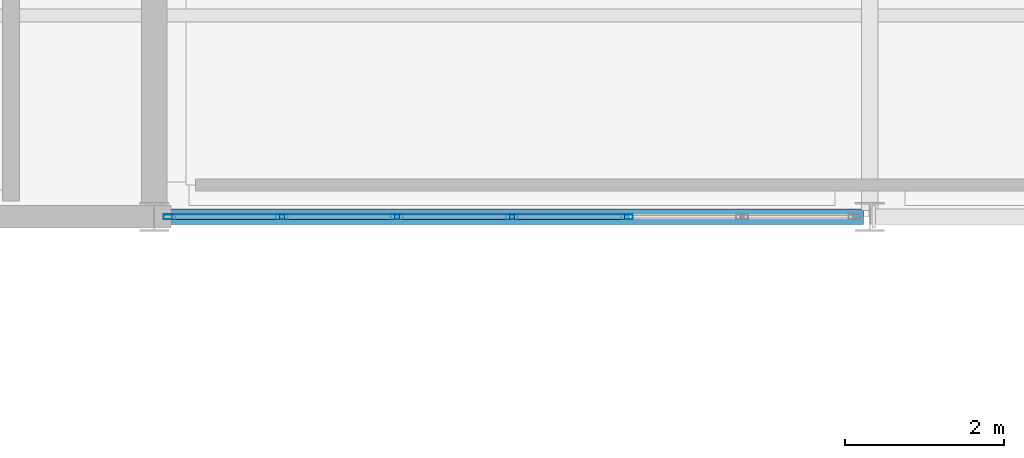
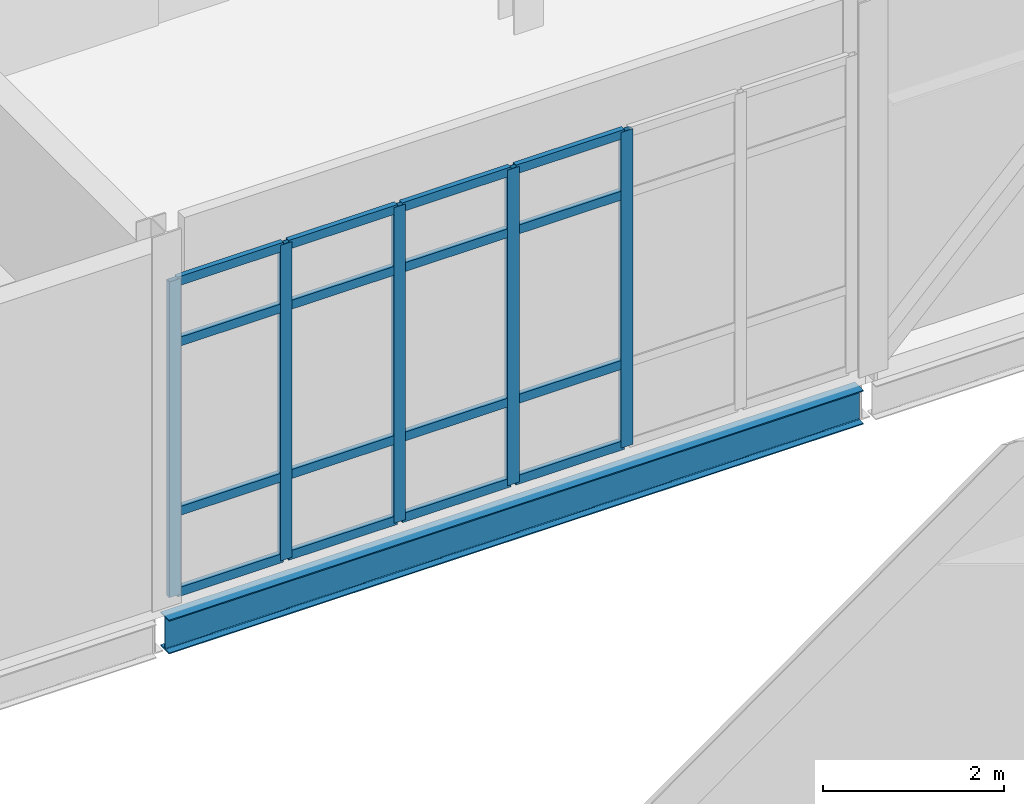
# One storey, part 32 of 161: 21 members, 1 beam, 1 element without a shape of its own.
"""IFC4 building model written with IfcOpenShell, lengths in metres."""

from ifc_helpers import new_model, si_unit, direction, frame, origin, origin_2d, place, context, subcontext, project, spatial, hollow_rectangle, i_section, extrude, material, material_profile, profile_set, type_object, element, aggregate, save


model = new_model("IFC4")

# Units and contexts
model_context = context("Model", 3, precision=1e-05, world=origin(), true_north=direction((0.0, 1.0)))
body_context = subcontext(model_context, "Body", "Model", "MODEL_VIEW")
ifc_project = project(units=[si_unit("LENGTHUNIT", "METRE"), si_unit("AREAUNIT", "SQUARE_METRE"), si_unit("VOLUMEUNIT", "CUBIC_METRE"), si_unit("PLANEANGLEUNIT", "RADIAN"), si_unit("MASSUNIT", "GRAM", prefix="KILO")], contexts=[model_context])

# Site, building, storey
site_placement = place(None, origin())
site = spatial("IfcSite", under=ifc_project, at=site_placement, CompositionType="ELEMENT")
building_placement = place(site_placement, origin())
building = spatial("IfcBuilding", under=site, at=building_placement, Name="Caisbarro Railhouse Central Library", CompositionType="ELEMENT")
storey_placement = place(building_placement, origin())
storey = spatial("IfcBuildingStorey", under=building, at=storey_placement, Name="L00", CompositionType="ELEMENT", Elevation=0.0)

# Beam
ifc_material_1 = material(Name="Steel ASTM A572 Grade 50", Category="steel")
ifc_material_profile_1 = material_profile(ifc_material_1, i_section(OverallWidth=0.18994140625, OverallDepth=0.45703125, WebThickness=0.009033203125, FlangeThickness=0.014404296875, FilletRadius=0.01806640625, at=origin_2d()), Name="W460X74.0")
ifc_profile_set_1 = profile_set([ifc_material_profile_1], Name="Steel ASTM A572 Grade 50")
beam_type = type_object("IfcBeamType", Name="BM-SP01", PredefinedType="SPANDREL", material=ifc_profile_set_1)
beam_placement = place(storey_placement, frame((9.080078125, 30.39990234375, -0.478515625), z_axis=(1.0, 0.0, 0.0), x_axis=(0.0, 1.0, 0.0)))
element("IfcBeam", 1, at=beam_placement, inside=storey, type_object=beam_type, Name="SP01 beam L00 #246", PredefinedType="SPANDREL", context=body_context, shape_type="SweptSolid", body=[
    extrude(i_section(OverallWidth=0.18994140625, OverallDepth=0.45703125, WebThickness=0.009033203125, FlangeThickness=0.014404296875, FilletRadius=0.01806640625, at=origin_2d()), origin(), (0.0, 0.0, 1.0), 8.83984375),
])

# Curtain wall, members
ifc_material_2 = material(Name="Anodised architectural aluminium", Category="aluminium")
curtain_wall_type = type_object("IfcCurtainWallType", Name="CW-CW02", PredefinedType="NOTDEFINED", material=ifc_material_2)
curtain_wall_placement = place(storey_placement, origin())
curtain_wall = element("IfcCurtainWall", 2, at=curtain_wall_placement, inside=storey, type_object=curtain_wall_type, Name="CW02 curtain wall L00 #25", PredefinedType="NOTDEFINED")
ifc_material_profile_2 = material_profile(ifc_material_2, hollow_rectangle(XDim=0.06494140625, YDim=0.14990234375, WallThickness=0.00390625, at=origin_2d()), Name="ALU-MUL-65X150")
ifc_profile_set_2 = profile_set([ifc_material_profile_2], Name="Anodised architectural aluminium")
member_type_1 = type_object("IfcMemberType", Name="CWM-M02", PredefinedType="MULLION", material=ifc_profile_set_2)
member_1_placement = place(storey_placement, frame((9.1923828125, 30.39990234375, 0.0), z_axis=(0.0, 0.0, 1.0), x_axis=(0.0, 1.0, 0.0)))
member_1 = element("IfcMember", 3, at=member_1_placement, type_object=member_type_1, Name="CW02 mullion 1", PredefinedType="MULLION", context=body_context, shape_type="SweptSolid", body=[
    extrude(hollow_rectangle(XDim=0.06494140625, YDim=0.14990234375, WallThickness=0.00390625, at=origin_2d()), origin(), (0.0, 0.0, 1.0), 4.25),
])
member_2_placement = place(storey_placement, frame((10.606689453125, 30.39990234375, 0.0), z_axis=(0.0, 0.0, 1.0), x_axis=(0.0, 1.0, 0.0)))
member_2 = element("IfcMember", 4, at=member_2_placement, type_object=member_type_1, Name="CW02 mullion 2", PredefinedType="MULLION", context=body_context, shape_type="SweptSolid", body=[
    extrude(hollow_rectangle(XDim=0.06494140625, YDim=0.14990234375, WallThickness=0.00390625, at=origin_2d()), origin(), (0.0, 0.0, 1.0), 4.25),
])
member_3_placement = place(storey_placement, frame((12.05322265625, 30.39990234375, 0.0), z_axis=(0.0, 0.0, 1.0), x_axis=(0.0, 1.0, 0.0)))
member_3 = element("IfcMember", 5, at=member_3_placement, type_object=member_type_1, Name="CW02 mullion 3", PredefinedType="MULLION", context=body_context, shape_type="SweptSolid", body=[
    extrude(hollow_rectangle(XDim=0.06494140625, YDim=0.14990234375, WallThickness=0.00390625, at=origin_2d()), origin(), (0.0, 0.0, 1.0), 4.25),
])
member_4_placement = place(storey_placement, frame((13.5, 30.39990234375, 0.0), z_axis=(0.0, 0.0, 1.0), x_axis=(0.0, 1.0, 0.0)))
member_4 = element("IfcMember", 6, at=member_4_placement, type_object=member_type_1, Name="CW02 mullion 4", PredefinedType="MULLION", context=body_context, shape_type="SweptSolid", body=[
    extrude(hollow_rectangle(XDim=0.06494140625, YDim=0.14990234375, WallThickness=0.00390625, at=origin_2d()), origin(), (0.0, 0.0, 1.0), 4.25),
])
member_5_placement = place(storey_placement, frame((14.94677734375, 30.39990234375, 0.0), z_axis=(0.0, 0.0, 1.0), x_axis=(0.0, 1.0, 0.0)))
member_5 = element("IfcMember", 7, at=member_5_placement, type_object=member_type_1, Name="CW02 mullion 5", PredefinedType="MULLION", context=body_context, shape_type="SweptSolid", body=[
    extrude(hollow_rectangle(XDim=0.06494140625, YDim=0.14990234375, WallThickness=0.00390625, at=origin_2d()), origin(), (0.0, 0.0, 1.0), 4.25),
])
ifc_material_profile_3 = material_profile(ifc_material_2, hollow_rectangle(XDim=0.06494140625, YDim=0.1201171875, WallThickness=0.00341796875, at=origin_2d()), Name="ALU-TRN-65X120")
ifc_profile_set_3 = profile_set([ifc_material_profile_3], Name="Anodised architectural aluminium")
member_type_2 = type_object("IfcMemberType", Name="CWT-T02", PredefinedType="USERDEFINED", material=ifc_profile_set_3)
member_6_placement = place(storey_placement, frame((9.22509765625, 30.39990234375, 0.032470703125), z_axis=(1.0, 0.0, 0.0), x_axis=(0.0, 1.0, 0.0)))
member_6 = element("IfcMember", 8, at=member_6_placement, type_object=member_type_2, Name="CW02 transom 1.1", ObjectType="TRANSOM", PredefinedType="USERDEFINED", context=body_context, shape_type="SweptSolid", body=[
    extrude(hollow_rectangle(XDim=0.06494140625, YDim=0.1201171875, WallThickness=0.00341796875, at=origin_2d()), origin(), (0.0, 0.0, 1.0), 1.34912109375),
])
member_7_placement = place(storey_placement, frame((9.22509765625, 30.39990234375, 1.1201171875), z_axis=(1.0, 0.0, 0.0), x_axis=(0.0, 1.0, 0.0)))
member_7 = element("IfcMember", 9, at=member_7_placement, type_object=member_type_2, Name="CW02 transom 1.2", ObjectType="TRANSOM", PredefinedType="USERDEFINED", context=body_context, shape_type="SweptSolid", body=[
    extrude(hollow_rectangle(XDim=0.06494140625, YDim=0.1201171875, WallThickness=0.00341796875, at=origin_2d()), origin(), (0.0, 0.0, 1.0), 1.34912109375),
])
member_8_placement = place(storey_placement, frame((9.22509765625, 30.39990234375, 3.39990234375), z_axis=(1.0, 0.0, 0.0), x_axis=(0.0, 1.0, 0.0)))
member_8 = element("IfcMember", 10, at=member_8_placement, type_object=member_type_2, Name="CW02 transom 1.3", ObjectType="TRANSOM", PredefinedType="USERDEFINED", context=body_context, shape_type="SweptSolid", body=[
    extrude(hollow_rectangle(XDim=0.06494140625, YDim=0.1201171875, WallThickness=0.00341796875, at=origin_2d()), origin(), (0.0, 0.0, 1.0), 1.34912109375),
])
member_9_placement = place(storey_placement, frame((9.22509765625, 30.39990234375, 4.217529296875), z_axis=(1.0, 0.0, 0.0), x_axis=(0.0, 1.0, 0.0)))
member_9 = element("IfcMember", 11, at=member_9_placement, type_object=member_type_2, Name="CW02 transom 1.4", ObjectType="TRANSOM", PredefinedType="USERDEFINED", context=body_context, shape_type="SweptSolid", body=[
    extrude(hollow_rectangle(XDim=0.06494140625, YDim=0.1201171875, WallThickness=0.00341796875, at=origin_2d()), origin(), (0.0, 0.0, 1.0), 1.34912109375),
])
member_10_placement = place(storey_placement, frame((10.63916015625, 30.39990234375, 0.032470703125), z_axis=(1.0, 0.0, 0.0), x_axis=(0.0, 1.0, 0.0)))
member_10 = element("IfcMember", 12, at=member_10_placement, type_object=member_type_2, Name="CW02 transom 2.1", ObjectType="TRANSOM", PredefinedType="USERDEFINED", context=body_context, shape_type="SweptSolid", body=[
    extrude(hollow_rectangle(XDim=0.06494140625, YDim=0.1201171875, WallThickness=0.00341796875, at=origin_2d()), origin(), (0.0, 0.0, 1.0), 1.381591796875),
])
member_11_placement = place(storey_placement, frame((10.63916015625, 30.39990234375, 1.1201171875), z_axis=(1.0, 0.0, 0.0), x_axis=(0.0, 1.0, 0.0)))
member_11 = element("IfcMember", 13, at=member_11_placement, type_object=member_type_2, Name="CW02 transom 2.2", ObjectType="TRANSOM", PredefinedType="USERDEFINED", context=body_context, shape_type="SweptSolid", body=[
    extrude(hollow_rectangle(XDim=0.06494140625, YDim=0.1201171875, WallThickness=0.00341796875, at=origin_2d()), origin(), (0.0, 0.0, 1.0), 1.381591796875),
])
member_12_placement = place(storey_placement, frame((10.63916015625, 30.39990234375, 3.39990234375), z_axis=(1.0, 0.0, 0.0), x_axis=(0.0, 1.0, 0.0)))
member_12 = element("IfcMember", 14, at=member_12_placement, type_object=member_type_2, Name="CW02 transom 2.3", ObjectType="TRANSOM", PredefinedType="USERDEFINED", context=body_context, shape_type="SweptSolid", body=[
    extrude(hollow_rectangle(XDim=0.06494140625, YDim=0.1201171875, WallThickness=0.00341796875, at=origin_2d()), origin(), (0.0, 0.0, 1.0), 1.381591796875),
])
member_13_placement = place(storey_placement, frame((10.63916015625, 30.39990234375, 4.217529296875), z_axis=(1.0, 0.0, 0.0), x_axis=(0.0, 1.0, 0.0)))
member_13 = element("IfcMember", 15, at=member_13_placement, type_object=member_type_2, Name="CW02 transom 2.4", ObjectType="TRANSOM", PredefinedType="USERDEFINED", context=body_context, shape_type="SweptSolid", body=[
    extrude(hollow_rectangle(XDim=0.06494140625, YDim=0.1201171875, WallThickness=0.00341796875, at=origin_2d()), origin(), (0.0, 0.0, 1.0), 1.381591796875),
])
member_14_placement = place(storey_placement, frame((12.0859375, 30.39990234375, 0.032470703125), z_axis=(1.0, 0.0, 0.0), x_axis=(0.0, 1.0, 0.0)))
member_14 = element("IfcMember", 16, at=member_14_placement, type_object=member_type_2, Name="CW02 transom 3.1", ObjectType="TRANSOM", PredefinedType="USERDEFINED", context=body_context, shape_type="SweptSolid", body=[
    extrude(hollow_rectangle(XDim=0.06494140625, YDim=0.1201171875, WallThickness=0.00341796875, at=origin_2d()), origin(), (0.0, 0.0, 1.0), 1.381591796875),
])
member_15_placement = place(storey_placement, frame((12.0859375, 30.39990234375, 1.1201171875), z_axis=(1.0, 0.0, 0.0), x_axis=(0.0, 1.0, 0.0)))
member_15 = element("IfcMember", 17, at=member_15_placement, type_object=member_type_2, Name="CW02 transom 3.2", ObjectType="TRANSOM", PredefinedType="USERDEFINED", context=body_context, shape_type="SweptSolid", body=[
    extrude(hollow_rectangle(XDim=0.06494140625, YDim=0.1201171875, WallThickness=0.00341796875, at=origin_2d()), origin(), (0.0, 0.0, 1.0), 1.381591796875),
])
member_16_placement = place(storey_placement, frame((12.0859375, 30.39990234375, 3.39990234375), z_axis=(1.0, 0.0, 0.0), x_axis=(0.0, 1.0, 0.0)))
member_16 = element("IfcMember", 18, at=member_16_placement, type_object=member_type_2, Name="CW02 transom 3.3", ObjectType="TRANSOM", PredefinedType="USERDEFINED", context=body_context, shape_type="SweptSolid", body=[
    extrude(hollow_rectangle(XDim=0.06494140625, YDim=0.1201171875, WallThickness=0.00341796875, at=origin_2d()), origin(), (0.0, 0.0, 1.0), 1.381591796875),
])
member_17_placement = place(storey_placement, frame((12.0859375, 30.39990234375, 4.217529296875), z_axis=(1.0, 0.0, 0.0), x_axis=(0.0, 1.0, 0.0)))
member_17 = element("IfcMember", 19, at=member_17_placement, type_object=member_type_2, Name="CW02 transom 3.4", ObjectType="TRANSOM", PredefinedType="USERDEFINED", context=body_context, shape_type="SweptSolid", body=[
    extrude(hollow_rectangle(XDim=0.06494140625, YDim=0.1201171875, WallThickness=0.00341796875, at=origin_2d()), origin(), (0.0, 0.0, 1.0), 1.381591796875),
])
member_18_placement = place(storey_placement, frame((13.532470703125, 30.39990234375, 0.032470703125), z_axis=(1.0, 0.0, 0.0), x_axis=(0.0, 1.0, 0.0)))
member_18 = element("IfcMember", 20, at=member_18_placement, type_object=member_type_2, Name="CW02 transom 4.1", ObjectType="TRANSOM", PredefinedType="USERDEFINED", context=body_context, shape_type="SweptSolid", body=[
    extrude(hollow_rectangle(XDim=0.06494140625, YDim=0.1201171875, WallThickness=0.00341796875, at=origin_2d()), origin(), (0.0, 0.0, 1.0), 1.381591796875),
])
member_19_placement = place(storey_placement, frame((13.532470703125, 30.39990234375, 1.1201171875), z_axis=(1.0, 0.0, 0.0), x_axis=(0.0, 1.0, 0.0)))
member_19 = element("IfcMember", 21, at=member_19_placement, type_object=member_type_2, Name="CW02 transom 4.2", ObjectType="TRANSOM", PredefinedType="USERDEFINED", context=body_context, shape_type="SweptSolid", body=[
    extrude(hollow_rectangle(XDim=0.06494140625, YDim=0.1201171875, WallThickness=0.00341796875, at=origin_2d()), origin(), (0.0, 0.0, 1.0), 1.381591796875),
])
member_20_placement = place(storey_placement, frame((13.532470703125, 30.39990234375, 3.39990234375), z_axis=(1.0, 0.0, 0.0), x_axis=(0.0, 1.0, 0.0)))
member_20 = element("IfcMember", 22, at=member_20_placement, type_object=member_type_2, Name="CW02 transom 4.3", ObjectType="TRANSOM", PredefinedType="USERDEFINED", context=body_context, shape_type="SweptSolid", body=[
    extrude(hollow_rectangle(XDim=0.06494140625, YDim=0.1201171875, WallThickness=0.00341796875, at=origin_2d()), origin(), (0.0, 0.0, 1.0), 1.381591796875),
])
member_21_placement = place(storey_placement, frame((13.532470703125, 30.39990234375, 4.217529296875), z_axis=(1.0, 0.0, 0.0), x_axis=(0.0, 1.0, 0.0)))
member_21 = element("IfcMember", 23, at=member_21_placement, type_object=member_type_2, Name="CW02 transom 4.4", ObjectType="TRANSOM", PredefinedType="USERDEFINED", context=body_context, shape_type="SweptSolid", body=[
    extrude(hollow_rectangle(XDim=0.06494140625, YDim=0.1201171875, WallThickness=0.00341796875, at=origin_2d()), origin(), (0.0, 0.0, 1.0), 1.381591796875),
])
aggregate(curtain_wall, [member_1, member_2, member_3, member_4, member_5, member_6, member_7, member_8, member_9, member_10, member_11, member_12, member_13, member_14, member_15, member_16, member_17, member_18, member_19, member_20, member_21])

save(model, "model.ifc")
